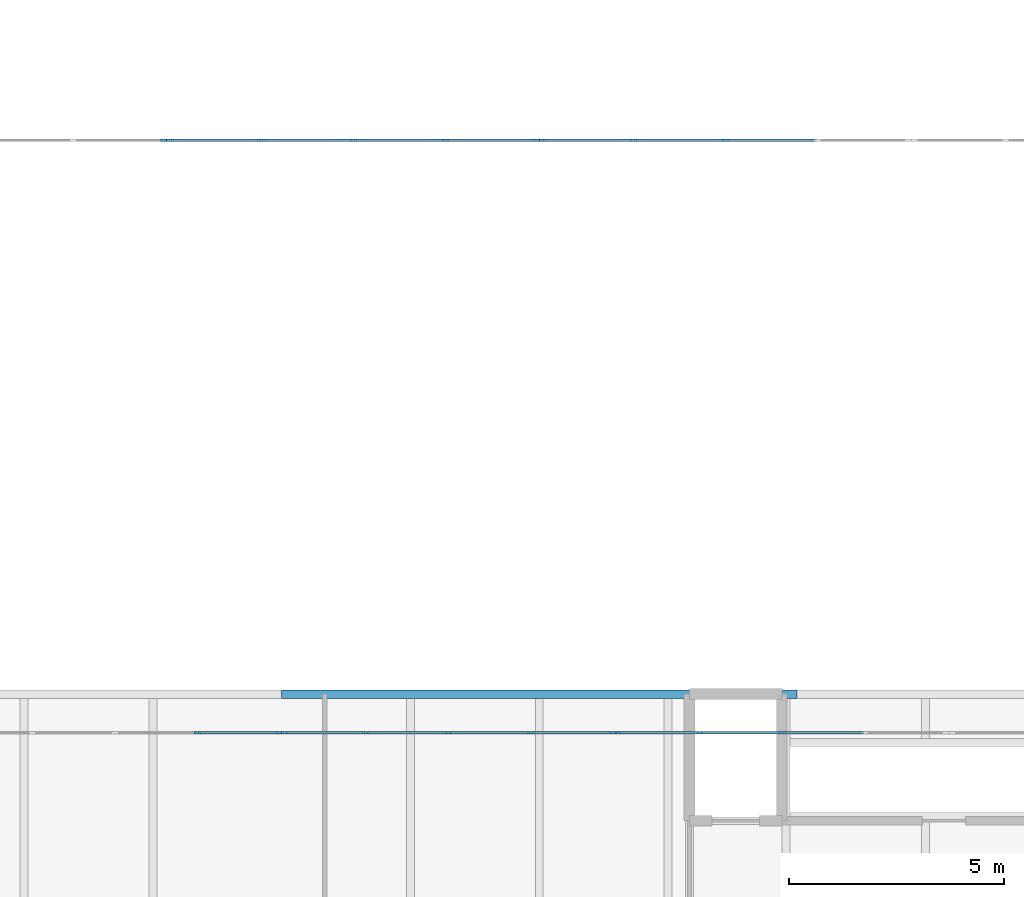
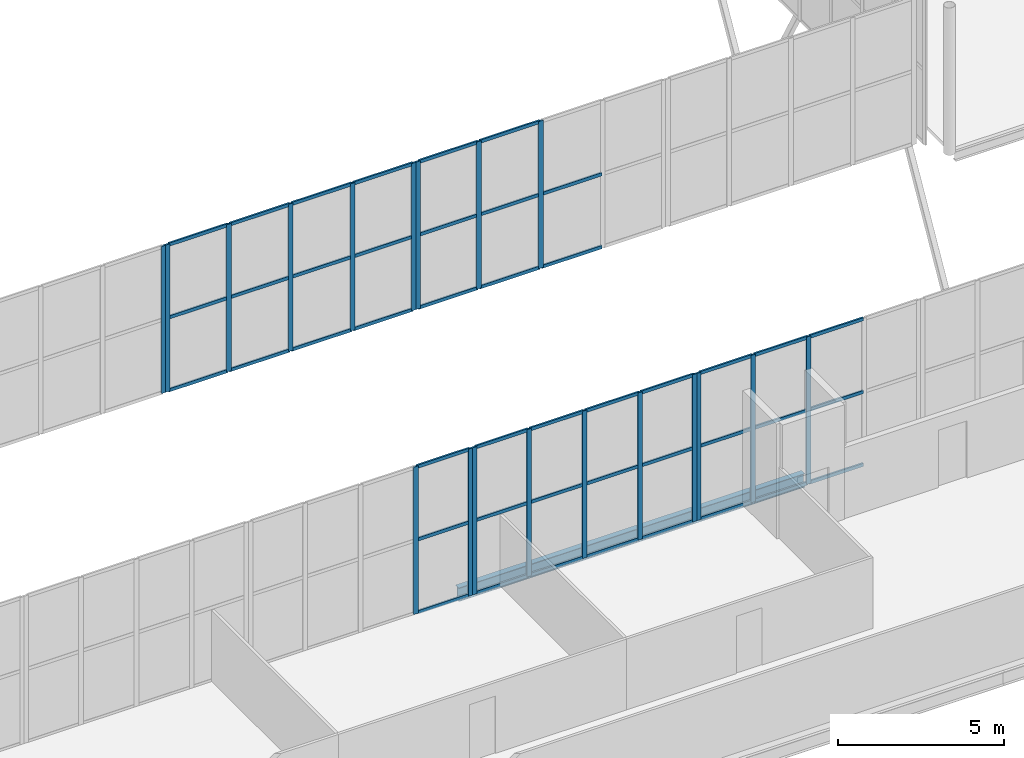
# One storey, part 59 of 170: 63 members, 1 beam, 6 elements without a shape of their own.
"""IFC4 building model written with IfcOpenShell, lengths in metres."""

from ifc_helpers import new_model, si_unit, direction, frame, origin, origin_2d, place, context, subcontext, project, spatial, rectangle, i_section, extrude, material, layer, layer_set, material_profile, profile_set, type_object, element, aggregate, save


model = new_model("IFC4")

# Units and contexts
model_context = context("Model", 3, precision=1e-05, world=origin(), true_north=direction((0.0, 1.0)))
body_context = subcontext(model_context, "Body", "Model", "MODEL_VIEW")
ifc_project = project(units=[si_unit("LENGTHUNIT", "METRE"), si_unit("AREAUNIT", "SQUARE_METRE"), si_unit("VOLUMEUNIT", "CUBIC_METRE"), si_unit("PLANEANGLEUNIT", "RADIAN"), si_unit("MASSUNIT", "GRAM", prefix="KILO")], contexts=[model_context])

# Site, building, storey
site_placement = place(None, origin())
site = spatial("IfcSite", under=ifc_project, at=site_placement, CompositionType="ELEMENT")
building_placement = place(site_placement, origin())
building = spatial("IfcBuilding", under=site, at=building_placement, Name="Ravi Spectrum Wholesale Market", CompositionType="ELEMENT")
storey_placement = place(building_placement, frame((0.0, 0.0, 5.39990234375)))
storey = spatial("IfcBuildingStorey", under=building, at=storey_placement, Name="L01", CompositionType="ELEMENT", Elevation=5.39990234375)

# Beam
ifc_material_1 = material(Name="Steel S355", Category="steel")
ifc_material_profile_1 = material_profile(ifc_material_1, i_section(OverallWidth=0.199951171875, OverallDepth=0.5, WebThickness=0.01025390625, FlangeThickness=0.01611328125, at=origin_2d()))
ifc_profile_set_1 = profile_set([ifc_material_profile_1], Name="Steel S355")
beam_type = type_object("IfcBeamType", Name="IPE 500 girder", PredefinedType="BEAM", material=ifc_profile_set_1)
beam_placement = place(storey_placement, frame((174.0, 126.0, -0.5), z_axis=(1.0, 0.0, 0.0), x_axis=(0.0, 1.0, 0.0)))
element("IfcBeam", 1, at=beam_placement, inside=storey, type_object=beam_type, Name="H2-BM-L01-007", PredefinedType="BEAM", context=body_context, shape_type="SweptSolid", body=[
    extrude(i_section(OverallWidth=0.199951171875, OverallDepth=0.5, WebThickness=0.01025390625, FlangeThickness=0.01611328125, at=origin_2d()), origin(), (0.0, 0.0, 1.0), 12.0),
])

# Curtain wall, members
ifc_material_2 = material(Name="Aluminium 6063-T6", Category="aluminium")
ifc_layer = layer(ifc_material_2, 0.14990234375)
ifc_layer_set = layer_set([ifc_layer], Name="Aluminium 6063-T6")
curtain_wall_type = type_object("IfcCurtainWallType", Name="Curtain wall 150", PredefinedType="NOTDEFINED", material=ifc_layer_set)
curtain_wall_1_placement = place(storey_placement, origin())
curtain_wall_1 = element("IfcCurtainWall", 2, at=curtain_wall_1_placement, inside=storey, type_object=curtain_wall_type, Name="H2-CW-L01-017", PredefinedType="NOTDEFINED")
ifc_material_3 = material(Name="Aluminium 6063-T6", Category="aluminium")
ifc_material_profile_2 = material_profile(ifc_material_3, rectangle(XDim=0.06005859375, YDim=0.159912109375, at=origin_2d()))
ifc_profile_set_2 = profile_set([ifc_material_profile_2], Name="Aluminium 6063-T6")
member_type_1 = type_object("IfcMemberType", Name="Mullion 60 x 160", PredefinedType="MULLION", material=ifc_profile_set_2)
member_1_placement = place(storey_placement, frame((172.036865234375, 125.10009765625, 0.0), z_axis=(0.0, 0.0, 1.0), x_axis=(0.0, 1.0, 0.0)))
member_1 = element("IfcMember", 3, at=member_1_placement, type_object=member_type_1, Name="H2-CW-L01-017 mullion 4", PredefinedType="MULLION", context=body_context, shape_type="SweptSolid", body=[
    extrude(rectangle(XDim=0.06005859375, YDim=0.159912109375, at=origin_2d()), origin(), (0.0, 0.0, 1.0), 5.400146484375),
])
member_2_placement = place(storey_placement, frame((173.929931640625, 125.10009765625, 0.0), z_axis=(0.0, 0.0, 1.0), x_axis=(0.0, 1.0, 0.0)))
member_2 = element("IfcMember", 4, at=member_2_placement, type_object=member_type_1, Name="H2-CW-L01-017 mullion 5", PredefinedType="MULLION", context=body_context, shape_type="SweptSolid", body=[
    extrude(rectangle(XDim=0.06005859375, YDim=0.159912109375, at=origin_2d()), origin(), (0.0, 0.0, 1.0), 5.400146484375),
])

curtain_wall_2_placement = place(storey_placement, origin())
curtain_wall_2 = element("IfcCurtainWall", 5, at=curtain_wall_2_placement, inside=storey, type_object=curtain_wall_type, Name="H2-CW-L01-018", PredefinedType="NOTDEFINED")
member_3_placement = place(storey_placement, frame((174.070068359375, 125.10009765625, 0.0), z_axis=(0.0, 0.0, 1.0), x_axis=(0.0, 1.0, 0.0)))
member_3 = element("IfcMember", 6, at=member_3_placement, type_object=member_type_1, Name="H2-CW-L01-018 mullion 1", PredefinedType="MULLION", context=body_context, shape_type="SweptSolid", body=[
    extrude(rectangle(XDim=0.06005859375, YDim=0.159912109375, at=origin_2d()), origin(), (0.0, 0.0, 1.0), 5.400146484375),
])
member_4_placement = place(storey_placement, frame((175.963134765625, 125.10009765625, 0.0), z_axis=(0.0, 0.0, 1.0), x_axis=(0.0, 1.0, 0.0)))
member_4 = element("IfcMember", 7, at=member_4_placement, type_object=member_type_1, Name="H2-CW-L01-018 mullion 2", PredefinedType="MULLION", context=body_context, shape_type="SweptSolid", body=[
    extrude(rectangle(XDim=0.06005859375, YDim=0.159912109375, at=origin_2d()), origin(), (0.0, 0.0, 1.0), 5.400146484375),
])
member_5_placement = place(storey_placement, frame((177.88623046875, 125.10009765625, 0.0), z_axis=(0.0, 0.0, 1.0), x_axis=(0.0, 1.0, 0.0)))
member_5 = element("IfcMember", 8, at=member_5_placement, type_object=member_type_1, Name="H2-CW-L01-018 mullion 3", PredefinedType="MULLION", context=body_context, shape_type="SweptSolid", body=[
    extrude(rectangle(XDim=0.06005859375, YDim=0.159912109375, at=origin_2d()), origin(), (0.0, 0.0, 1.0), 5.400146484375),
])
member_6_placement = place(storey_placement, frame((179.80908203125, 125.10009765625, 0.0), z_axis=(0.0, 0.0, 1.0), x_axis=(0.0, 1.0, 0.0)))
member_6 = element("IfcMember", 9, at=member_6_placement, type_object=member_type_1, Name="H2-CW-L01-018 mullion 4", PredefinedType="MULLION", context=body_context, shape_type="SweptSolid", body=[
    extrude(rectangle(XDim=0.06005859375, YDim=0.159912109375, at=origin_2d()), origin(), (0.0, 0.0, 1.0), 5.400146484375),
])
member_7_placement = place(storey_placement, frame((181.7021484375, 125.10009765625, 0.0), z_axis=(0.0, 0.0, 1.0), x_axis=(0.0, 1.0, 0.0)))
member_7 = element("IfcMember", 10, at=member_7_placement, type_object=member_type_1, Name="H2-CW-L01-018 mullion 5", PredefinedType="MULLION", context=body_context, shape_type="SweptSolid", body=[
    extrude(rectangle(XDim=0.06005859375, YDim=0.159912109375, at=origin_2d()), origin(), (0.0, 0.0, 1.0), 5.400146484375),
])

curtain_wall_3_placement = place(storey_placement, origin())
curtain_wall_3 = element("IfcCurtainWall", 11, at=curtain_wall_3_placement, inside=storey, type_object=curtain_wall_type, Name="H2-CW-L01-019", PredefinedType="NOTDEFINED")
member_8_placement = place(storey_placement, frame((181.84228515625, 125.10009765625, 0.0), z_axis=(0.0, 0.0, 1.0), x_axis=(0.0, 1.0, 0.0)))
member_8 = element("IfcMember", 12, at=member_8_placement, type_object=member_type_1, Name="H2-CW-L01-019 mullion 1", PredefinedType="MULLION", context=body_context, shape_type="SweptSolid", body=[
    extrude(rectangle(XDim=0.06005859375, YDim=0.159912109375, at=origin_2d()), origin(), (0.0, 0.0, 1.0), 5.400146484375),
])
member_9_placement = place(storey_placement, frame((183.7353515625, 125.10009765625, 0.0), z_axis=(0.0, 0.0, 1.0), x_axis=(0.0, 1.0, 0.0)))
member_9 = element("IfcMember", 13, at=member_9_placement, type_object=member_type_1, Name="H2-CW-L01-019 mullion 2", PredefinedType="MULLION", context=body_context, shape_type="SweptSolid", body=[
    extrude(rectangle(XDim=0.06005859375, YDim=0.159912109375, at=origin_2d()), origin(), (0.0, 0.0, 1.0), 5.400146484375),
])
member_10_placement = place(storey_placement, frame((185.658447265625, 125.10009765625, 0.0), z_axis=(0.0, 0.0, 1.0), x_axis=(0.0, 1.0, 0.0)))
member_10 = element("IfcMember", 14, at=member_10_placement, type_object=member_type_1, Name="H2-CW-L01-019 mullion 3", PredefinedType="MULLION", context=body_context, shape_type="SweptSolid", body=[
    extrude(rectangle(XDim=0.06005859375, YDim=0.159912109375, at=origin_2d()), origin(), (0.0, 0.0, 1.0), 5.400146484375),
])

# Curtain wall, member
curtain_wall_4_placement = place(storey_placement, origin())
curtain_wall_4 = element("IfcCurtainWall", 15, at=curtain_wall_4_placement, inside=storey, type_object=curtain_wall_type, Name="H3-CW-L01-009", PredefinedType="NOTDEFINED")
member_11_placement = place(storey_placement, frame((171.2587890625, 138.89990234375, 0.0), z_axis=(0.0, 0.0, 1.0), x_axis=(0.0, 1.0, 0.0)))
member_11 = element("IfcMember", 16, at=member_11_placement, type_object=member_type_1, Name="H3-CW-L01-009 mullion 5", PredefinedType="MULLION", context=body_context, shape_type="SweptSolid", body=[
    extrude(rectangle(XDim=0.06005859375, YDim=0.159912109375, at=origin_2d()), origin(), (0.0, 0.0, 1.0), 5.400146484375),
])
aggregate(curtain_wall_4, [member_11])

# Curtain wall, members
curtain_wall_5_placement = place(storey_placement, origin())
curtain_wall_5 = element("IfcCurtainWall", 17, at=curtain_wall_5_placement, inside=storey, type_object=curtain_wall_type, Name="H3-CW-L01-010", PredefinedType="NOTDEFINED")
member_12_placement = place(storey_placement, frame((171.39892578125, 138.89990234375, 0.0), z_axis=(0.0, 0.0, 1.0), x_axis=(0.0, 1.0, 0.0)))
member_12 = element("IfcMember", 18, at=member_12_placement, type_object=member_type_1, Name="H3-CW-L01-010 mullion 1", PredefinedType="MULLION", context=body_context, shape_type="SweptSolid", body=[
    extrude(rectangle(XDim=0.06005859375, YDim=0.159912109375, at=origin_2d()), origin(), (0.0, 0.0, 1.0), 5.400146484375),
])
member_13_placement = place(storey_placement, frame((173.5166015625, 138.89990234375, 0.0), z_axis=(0.0, 0.0, 1.0), x_axis=(0.0, 1.0, 0.0)))
member_13 = element("IfcMember", 19, at=member_13_placement, type_object=member_type_1, Name="H3-CW-L01-010 mullion 2", PredefinedType="MULLION", context=body_context, shape_type="SweptSolid", body=[
    extrude(rectangle(XDim=0.06005859375, YDim=0.159912109375, at=origin_2d()), origin(), (0.0, 0.0, 1.0), 5.400146484375),
])
member_14_placement = place(storey_placement, frame((175.66455078125, 138.89990234375, 0.0), z_axis=(0.0, 0.0, 1.0), x_axis=(0.0, 1.0, 0.0)))
member_14 = element("IfcMember", 20, at=member_14_placement, type_object=member_type_1, Name="H3-CW-L01-010 mullion 3", PredefinedType="MULLION", context=body_context, shape_type="SweptSolid", body=[
    extrude(rectangle(XDim=0.06005859375, YDim=0.159912109375, at=origin_2d()), origin(), (0.0, 0.0, 1.0), 5.400146484375),
])
member_15_placement = place(storey_placement, frame((177.812255859375, 138.89990234375, 0.0), z_axis=(0.0, 0.0, 1.0), x_axis=(0.0, 1.0, 0.0)))
member_15 = element("IfcMember", 21, at=member_15_placement, type_object=member_type_1, Name="H3-CW-L01-010 mullion 4", PredefinedType="MULLION", context=body_context, shape_type="SweptSolid", body=[
    extrude(rectangle(XDim=0.06005859375, YDim=0.159912109375, at=origin_2d()), origin(), (0.0, 0.0, 1.0), 5.400146484375),
])
member_16_placement = place(storey_placement, frame((179.929931640625, 138.89990234375, 0.0), z_axis=(0.0, 0.0, 1.0), x_axis=(0.0, 1.0, 0.0)))
member_16 = element("IfcMember", 22, at=member_16_placement, type_object=member_type_1, Name="H3-CW-L01-010 mullion 5", PredefinedType="MULLION", context=body_context, shape_type="SweptSolid", body=[
    extrude(rectangle(XDim=0.06005859375, YDim=0.159912109375, at=origin_2d()), origin(), (0.0, 0.0, 1.0), 5.400146484375),
])

curtain_wall_6_placement = place(storey_placement, origin())
curtain_wall_6 = element("IfcCurtainWall", 23, at=curtain_wall_6_placement, inside=storey, type_object=curtain_wall_type, Name="H3-CW-L01-011", PredefinedType="NOTDEFINED")
member_17_placement = place(storey_placement, frame((180.070068359375, 138.89990234375, 0.0), z_axis=(0.0, 0.0, 1.0), x_axis=(0.0, 1.0, 0.0)))
member_17 = element("IfcMember", 24, at=member_17_placement, type_object=member_type_1, Name="H3-CW-L01-011 mullion 1", PredefinedType="MULLION", context=body_context, shape_type="SweptSolid", body=[
    extrude(rectangle(XDim=0.06005859375, YDim=0.159912109375, at=origin_2d()), origin(), (0.0, 0.0, 1.0), 5.400146484375),
])
member_18_placement = place(storey_placement, frame((182.187744140625, 138.89990234375, 0.0), z_axis=(0.0, 0.0, 1.0), x_axis=(0.0, 1.0, 0.0)))
member_18 = element("IfcMember", 25, at=member_18_placement, type_object=member_type_1, Name="H3-CW-L01-011 mullion 2", PredefinedType="MULLION", context=body_context, shape_type="SweptSolid", body=[
    extrude(rectangle(XDim=0.06005859375, YDim=0.159912109375, at=origin_2d()), origin(), (0.0, 0.0, 1.0), 5.400146484375),
])
member_19_placement = place(storey_placement, frame((184.33544921875, 138.89990234375, 0.0), z_axis=(0.0, 0.0, 1.0), x_axis=(0.0, 1.0, 0.0)))
member_19 = element("IfcMember", 26, at=member_19_placement, type_object=member_type_1, Name="H3-CW-L01-011 mullion 3", PredefinedType="MULLION", context=body_context, shape_type="SweptSolid", body=[
    extrude(rectangle(XDim=0.06005859375, YDim=0.159912109375, at=origin_2d()), origin(), (0.0, 0.0, 1.0), 5.400146484375),
])

# Member
ifc_material_4 = material(Name="Aluminium 6063-T6", Category="aluminium")
ifc_material_profile_3 = material_profile(ifc_material_4, rectangle(XDim=0.06005859375, YDim=0.1201171875, at=origin_2d()))
ifc_profile_set_3 = profile_set([ifc_material_profile_3], Name="Aluminium 6063-T6")
member_type_2 = type_object("IfcMemberType", Name="Transom 60 x 120", PredefinedType="USERDEFINED", material=ifc_profile_set_3)
member_20_placement = place(storey_placement, frame((172.06689453125, 125.10009765625, 0.030029296875), z_axis=(1.0, 0.0, 0.0), x_axis=(0.0, 1.0, 0.0)))
member_20 = element("IfcMember", 27, at=member_20_placement, type_object=member_type_2, Name="H2-CW-L01-017 transom 4.1", ObjectType="TRANSOM", PredefinedType="USERDEFINED", context=body_context, shape_type="SweptSolid", body=[
    extrude(rectangle(XDim=0.06005859375, YDim=0.1201171875, at=origin_2d()), origin(), (0.0, 0.0, 1.0), 1.8330078125),
])

member_21_placement = place(storey_placement, frame((172.06689453125, 125.10009765625, 2.7001953125), z_axis=(1.0, 0.0, 0.0), x_axis=(0.0, 1.0, 0.0)))
member_21 = element("IfcMember", 28, at=member_21_placement, type_object=member_type_2, Name="H2-CW-L01-017 transom 4.2", ObjectType="TRANSOM", PredefinedType="USERDEFINED", context=body_context, shape_type="SweptSolid", body=[
    extrude(rectangle(XDim=0.06005859375, YDim=0.1201171875, at=origin_2d()), origin(), (0.0, 0.0, 1.0), 1.8330078125),
])

member_22_placement = place(storey_placement, frame((172.06689453125, 125.10009765625, 5.3701171875), z_axis=(1.0, 0.0, 0.0), x_axis=(0.0, 1.0, 0.0)))
member_22 = element("IfcMember", 29, at=member_22_placement, type_object=member_type_2, Name="H2-CW-L01-017 transom 4.3", ObjectType="TRANSOM", PredefinedType="USERDEFINED", context=body_context, shape_type="SweptSolid", body=[
    extrude(rectangle(XDim=0.06005859375, YDim=0.1201171875, at=origin_2d()), origin(), (0.0, 0.0, 1.0), 1.8330078125),
])

aggregate(curtain_wall_1, [member_1, member_2, member_20, member_21, member_22])

member_23_placement = place(storey_placement, frame((174.10009765625, 125.10009765625, 0.030029296875), z_axis=(1.0, 0.0, 0.0), x_axis=(0.0, 1.0, 0.0)))
member_23 = element("IfcMember", 30, at=member_23_placement, type_object=member_type_2, Name="H2-CW-L01-018 transom 1.1", ObjectType="TRANSOM", PredefinedType="USERDEFINED", context=body_context, shape_type="SweptSolid", body=[
    extrude(rectangle(XDim=0.06005859375, YDim=0.1201171875, at=origin_2d()), origin(), (0.0, 0.0, 1.0), 1.8330078125),
])

member_24_placement = place(storey_placement, frame((174.10009765625, 125.10009765625, 2.7001953125), z_axis=(1.0, 0.0, 0.0), x_axis=(0.0, 1.0, 0.0)))
member_24 = element("IfcMember", 31, at=member_24_placement, type_object=member_type_2, Name="H2-CW-L01-018 transom 1.2", ObjectType="TRANSOM", PredefinedType="USERDEFINED", context=body_context, shape_type="SweptSolid", body=[
    extrude(rectangle(XDim=0.06005859375, YDim=0.1201171875, at=origin_2d()), origin(), (0.0, 0.0, 1.0), 1.8330078125),
])

member_25_placement = place(storey_placement, frame((174.10009765625, 125.10009765625, 5.3701171875), z_axis=(1.0, 0.0, 0.0), x_axis=(0.0, 1.0, 0.0)))
member_25 = element("IfcMember", 32, at=member_25_placement, type_object=member_type_2, Name="H2-CW-L01-018 transom 1.3", ObjectType="TRANSOM", PredefinedType="USERDEFINED", context=body_context, shape_type="SweptSolid", body=[
    extrude(rectangle(XDim=0.06005859375, YDim=0.1201171875, at=origin_2d()), origin(), (0.0, 0.0, 1.0), 1.8330078125),
])

member_26_placement = place(storey_placement, frame((175.9931640625, 125.10009765625, 0.030029296875), z_axis=(1.0, 0.0, 0.0), x_axis=(0.0, 1.0, 0.0)))
member_26 = element("IfcMember", 33, at=member_26_placement, type_object=member_type_2, Name="H2-CW-L01-018 transom 2.1", ObjectType="TRANSOM", PredefinedType="USERDEFINED", context=body_context, shape_type="SweptSolid", body=[
    extrude(rectangle(XDim=0.06005859375, YDim=0.1201171875, at=origin_2d()), origin(), (0.0, 0.0, 1.0), 1.863037109375),
])

member_27_placement = place(storey_placement, frame((175.9931640625, 125.10009765625, 2.7001953125), z_axis=(1.0, 0.0, 0.0), x_axis=(0.0, 1.0, 0.0)))
member_27 = element("IfcMember", 34, at=member_27_placement, type_object=member_type_2, Name="H2-CW-L01-018 transom 2.2", ObjectType="TRANSOM", PredefinedType="USERDEFINED", context=body_context, shape_type="SweptSolid", body=[
    extrude(rectangle(XDim=0.06005859375, YDim=0.1201171875, at=origin_2d()), origin(), (0.0, 0.0, 1.0), 1.863037109375),
])

member_28_placement = place(storey_placement, frame((175.9931640625, 125.10009765625, 5.3701171875), z_axis=(1.0, 0.0, 0.0), x_axis=(0.0, 1.0, 0.0)))
member_28 = element("IfcMember", 35, at=member_28_placement, type_object=member_type_2, Name="H2-CW-L01-018 transom 2.3", ObjectType="TRANSOM", PredefinedType="USERDEFINED", context=body_context, shape_type="SweptSolid", body=[
    extrude(rectangle(XDim=0.06005859375, YDim=0.1201171875, at=origin_2d()), origin(), (0.0, 0.0, 1.0), 1.863037109375),
])

member_29_placement = place(storey_placement, frame((177.916015625, 125.10009765625, 0.030029296875), z_axis=(1.0, 0.0, 0.0), x_axis=(0.0, 1.0, 0.0)))
member_29 = element("IfcMember", 36, at=member_29_placement, type_object=member_type_2, Name="H2-CW-L01-018 transom 3.1", ObjectType="TRANSOM", PredefinedType="USERDEFINED", context=body_context, shape_type="SweptSolid", body=[
    extrude(rectangle(XDim=0.06005859375, YDim=0.1201171875, at=origin_2d()), origin(), (0.0, 0.0, 1.0), 1.86328125),
])

member_30_placement = place(storey_placement, frame((177.916015625, 125.10009765625, 2.7001953125), z_axis=(1.0, 0.0, 0.0), x_axis=(0.0, 1.0, 0.0)))
member_30 = element("IfcMember", 37, at=member_30_placement, type_object=member_type_2, Name="H2-CW-L01-018 transom 3.2", ObjectType="TRANSOM", PredefinedType="USERDEFINED", context=body_context, shape_type="SweptSolid", body=[
    extrude(rectangle(XDim=0.06005859375, YDim=0.1201171875, at=origin_2d()), origin(), (0.0, 0.0, 1.0), 1.86328125),
])

member_31_placement = place(storey_placement, frame((177.916015625, 125.10009765625, 5.3701171875), z_axis=(1.0, 0.0, 0.0), x_axis=(0.0, 1.0, 0.0)))
member_31 = element("IfcMember", 38, at=member_31_placement, type_object=member_type_2, Name="H2-CW-L01-018 transom 3.3", ObjectType="TRANSOM", PredefinedType="USERDEFINED", context=body_context, shape_type="SweptSolid", body=[
    extrude(rectangle(XDim=0.06005859375, YDim=0.1201171875, at=origin_2d()), origin(), (0.0, 0.0, 1.0), 1.86328125),
])

member_32_placement = place(storey_placement, frame((179.839111328125, 125.10009765625, 0.030029296875), z_axis=(1.0, 0.0, 0.0), x_axis=(0.0, 1.0, 0.0)))
member_32 = element("IfcMember", 39, at=member_32_placement, type_object=member_type_2, Name="H2-CW-L01-018 transom 4.1", ObjectType="TRANSOM", PredefinedType="USERDEFINED", context=body_context, shape_type="SweptSolid", body=[
    extrude(rectangle(XDim=0.06005859375, YDim=0.1201171875, at=origin_2d()), origin(), (0.0, 0.0, 1.0), 1.833251953125),
])

member_33_placement = place(storey_placement, frame((179.839111328125, 125.10009765625, 2.7001953125), z_axis=(1.0, 0.0, 0.0), x_axis=(0.0, 1.0, 0.0)))
member_33 = element("IfcMember", 40, at=member_33_placement, type_object=member_type_2, Name="H2-CW-L01-018 transom 4.2", ObjectType="TRANSOM", PredefinedType="USERDEFINED", context=body_context, shape_type="SweptSolid", body=[
    extrude(rectangle(XDim=0.06005859375, YDim=0.1201171875, at=origin_2d()), origin(), (0.0, 0.0, 1.0), 1.833251953125),
])

member_34_placement = place(storey_placement, frame((179.839111328125, 125.10009765625, 5.3701171875), z_axis=(1.0, 0.0, 0.0), x_axis=(0.0, 1.0, 0.0)))
member_34 = element("IfcMember", 41, at=member_34_placement, type_object=member_type_2, Name="H2-CW-L01-018 transom 4.3", ObjectType="TRANSOM", PredefinedType="USERDEFINED", context=body_context, shape_type="SweptSolid", body=[
    extrude(rectangle(XDim=0.06005859375, YDim=0.1201171875, at=origin_2d()), origin(), (0.0, 0.0, 1.0), 1.833251953125),
])

aggregate(curtain_wall_2, [member_3, member_4, member_5, member_6, member_7, member_23, member_24, member_25, member_26, member_27, member_28, member_29, member_30, member_31, member_32, member_33, member_34])

member_35_placement = place(storey_placement, frame((181.872314453125, 125.10009765625, 0.030029296875), z_axis=(1.0, 0.0, 0.0), x_axis=(0.0, 1.0, 0.0)))
member_35 = element("IfcMember", 42, at=member_35_placement, type_object=member_type_2, Name="H2-CW-L01-019 transom 1.1", ObjectType="TRANSOM", PredefinedType="USERDEFINED", context=body_context, shape_type="SweptSolid", body=[
    extrude(rectangle(XDim=0.06005859375, YDim=0.1201171875, at=origin_2d()), origin(), (0.0, 0.0, 1.0), 1.8330078125),
])

member_36_placement = place(storey_placement, frame((181.872314453125, 125.10009765625, 2.7001953125), z_axis=(1.0, 0.0, 0.0), x_axis=(0.0, 1.0, 0.0)))
member_36 = element("IfcMember", 43, at=member_36_placement, type_object=member_type_2, Name="H2-CW-L01-019 transom 1.2", ObjectType="TRANSOM", PredefinedType="USERDEFINED", context=body_context, shape_type="SweptSolid", body=[
    extrude(rectangle(XDim=0.06005859375, YDim=0.1201171875, at=origin_2d()), origin(), (0.0, 0.0, 1.0), 1.8330078125),
])

member_37_placement = place(storey_placement, frame((181.872314453125, 125.10009765625, 5.3701171875), z_axis=(1.0, 0.0, 0.0), x_axis=(0.0, 1.0, 0.0)))
member_37 = element("IfcMember", 44, at=member_37_placement, type_object=member_type_2, Name="H2-CW-L01-019 transom 1.3", ObjectType="TRANSOM", PredefinedType="USERDEFINED", context=body_context, shape_type="SweptSolid", body=[
    extrude(rectangle(XDim=0.06005859375, YDim=0.1201171875, at=origin_2d()), origin(), (0.0, 0.0, 1.0), 1.8330078125),
])

member_38_placement = place(storey_placement, frame((183.765380859375, 125.10009765625, 0.030029296875), z_axis=(1.0, 0.0, 0.0), x_axis=(0.0, 1.0, 0.0)))
member_38 = element("IfcMember", 45, at=member_38_placement, type_object=member_type_2, Name="H2-CW-L01-019 transom 2.1", ObjectType="TRANSOM", PredefinedType="USERDEFINED", context=body_context, shape_type="SweptSolid", body=[
    extrude(rectangle(XDim=0.06005859375, YDim=0.1201171875, at=origin_2d()), origin(), (0.0, 0.0, 1.0), 1.863037109375),
])

member_39_placement = place(storey_placement, frame((183.765380859375, 125.10009765625, 2.7001953125), z_axis=(1.0, 0.0, 0.0), x_axis=(0.0, 1.0, 0.0)))
member_39 = element("IfcMember", 46, at=member_39_placement, type_object=member_type_2, Name="H2-CW-L01-019 transom 2.2", ObjectType="TRANSOM", PredefinedType="USERDEFINED", context=body_context, shape_type="SweptSolid", body=[
    extrude(rectangle(XDim=0.06005859375, YDim=0.1201171875, at=origin_2d()), origin(), (0.0, 0.0, 1.0), 1.863037109375),
])

member_40_placement = place(storey_placement, frame((183.765380859375, 125.10009765625, 5.3701171875), z_axis=(1.0, 0.0, 0.0), x_axis=(0.0, 1.0, 0.0)))
member_40 = element("IfcMember", 47, at=member_40_placement, type_object=member_type_2, Name="H2-CW-L01-019 transom 2.3", ObjectType="TRANSOM", PredefinedType="USERDEFINED", context=body_context, shape_type="SweptSolid", body=[
    extrude(rectangle(XDim=0.06005859375, YDim=0.1201171875, at=origin_2d()), origin(), (0.0, 0.0, 1.0), 1.863037109375),
])

member_41_placement = place(storey_placement, frame((185.6884765625, 125.10009765625, 0.030029296875), z_axis=(1.0, 0.0, 0.0), x_axis=(0.0, 1.0, 0.0)))
member_41 = element("IfcMember", 48, at=member_41_placement, type_object=member_type_2, Name="H2-CW-L01-019 transom 3.1", ObjectType="TRANSOM", PredefinedType="USERDEFINED", context=body_context, shape_type="SweptSolid", body=[
    extrude(rectangle(XDim=0.06005859375, YDim=0.1201171875, at=origin_2d()), origin(), (0.0, 0.0, 1.0), 1.863037109375),
])

member_42_placement = place(storey_placement, frame((185.6884765625, 125.10009765625, 2.7001953125), z_axis=(1.0, 0.0, 0.0), x_axis=(0.0, 1.0, 0.0)))
member_42 = element("IfcMember", 49, at=member_42_placement, type_object=member_type_2, Name="H2-CW-L01-019 transom 3.2", ObjectType="TRANSOM", PredefinedType="USERDEFINED", context=body_context, shape_type="SweptSolid", body=[
    extrude(rectangle(XDim=0.06005859375, YDim=0.1201171875, at=origin_2d()), origin(), (0.0, 0.0, 1.0), 1.863037109375),
])

member_43_placement = place(storey_placement, frame((185.6884765625, 125.10009765625, 5.3701171875), z_axis=(1.0, 0.0, 0.0), x_axis=(0.0, 1.0, 0.0)))
member_43 = element("IfcMember", 50, at=member_43_placement, type_object=member_type_2, Name="H2-CW-L01-019 transom 3.3", ObjectType="TRANSOM", PredefinedType="USERDEFINED", context=body_context, shape_type="SweptSolid", body=[
    extrude(rectangle(XDim=0.06005859375, YDim=0.1201171875, at=origin_2d()), origin(), (0.0, 0.0, 1.0), 1.863037109375),
])

aggregate(curtain_wall_3, [member_8, member_9, member_10, member_35, member_36, member_37, member_38, member_39, member_40, member_41, member_42, member_43])

member_44_placement = place(storey_placement, frame((171.428955078125, 138.89990234375, 0.030029296875), z_axis=(1.0, 0.0, 0.0), x_axis=(0.0, 1.0, 0.0)))
member_44 = element("IfcMember", 51, at=member_44_placement, type_object=member_type_2, Name="H3-CW-L01-010 transom 1.1", ObjectType="TRANSOM", PredefinedType="USERDEFINED", context=body_context, shape_type="SweptSolid", body=[
    extrude(rectangle(XDim=0.06005859375, YDim=0.1201171875, at=origin_2d()), origin(), (0.0, 0.0, 1.0), 2.0576171875),
])

member_45_placement = place(storey_placement, frame((171.428955078125, 138.89990234375, 2.7001953125), z_axis=(1.0, 0.0, 0.0), x_axis=(0.0, 1.0, 0.0)))
member_45 = element("IfcMember", 52, at=member_45_placement, type_object=member_type_2, Name="H3-CW-L01-010 transom 1.2", ObjectType="TRANSOM", PredefinedType="USERDEFINED", context=body_context, shape_type="SweptSolid", body=[
    extrude(rectangle(XDim=0.06005859375, YDim=0.1201171875, at=origin_2d()), origin(), (0.0, 0.0, 1.0), 2.0576171875),
])

member_46_placement = place(storey_placement, frame((171.428955078125, 138.89990234375, 5.3701171875), z_axis=(1.0, 0.0, 0.0), x_axis=(0.0, 1.0, 0.0)))
member_46 = element("IfcMember", 53, at=member_46_placement, type_object=member_type_2, Name="H3-CW-L01-010 transom 1.3", ObjectType="TRANSOM", PredefinedType="USERDEFINED", context=body_context, shape_type="SweptSolid", body=[
    extrude(rectangle(XDim=0.06005859375, YDim=0.1201171875, at=origin_2d()), origin(), (0.0, 0.0, 1.0), 2.0576171875),
])

member_47_placement = place(storey_placement, frame((173.546630859375, 138.89990234375, 0.030029296875), z_axis=(1.0, 0.0, 0.0), x_axis=(0.0, 1.0, 0.0)))
member_47 = element("IfcMember", 54, at=member_47_placement, type_object=member_type_2, Name="H3-CW-L01-010 transom 2.1", ObjectType="TRANSOM", PredefinedType="USERDEFINED", context=body_context, shape_type="SweptSolid", body=[
    extrude(rectangle(XDim=0.06005859375, YDim=0.1201171875, at=origin_2d()), origin(), (0.0, 0.0, 1.0), 2.087890625),
])

member_48_placement = place(storey_placement, frame((173.546630859375, 138.89990234375, 2.7001953125), z_axis=(1.0, 0.0, 0.0), x_axis=(0.0, 1.0, 0.0)))
member_48 = element("IfcMember", 55, at=member_48_placement, type_object=member_type_2, Name="H3-CW-L01-010 transom 2.2", ObjectType="TRANSOM", PredefinedType="USERDEFINED", context=body_context, shape_type="SweptSolid", body=[
    extrude(rectangle(XDim=0.06005859375, YDim=0.1201171875, at=origin_2d()), origin(), (0.0, 0.0, 1.0), 2.087890625),
])

member_49_placement = place(storey_placement, frame((173.546630859375, 138.89990234375, 5.3701171875), z_axis=(1.0, 0.0, 0.0), x_axis=(0.0, 1.0, 0.0)))
member_49 = element("IfcMember", 56, at=member_49_placement, type_object=member_type_2, Name="H3-CW-L01-010 transom 2.3", ObjectType="TRANSOM", PredefinedType="USERDEFINED", context=body_context, shape_type="SweptSolid", body=[
    extrude(rectangle(XDim=0.06005859375, YDim=0.1201171875, at=origin_2d()), origin(), (0.0, 0.0, 1.0), 2.087890625),
])

member_50_placement = place(storey_placement, frame((175.6943359375, 138.89990234375, 0.030029296875), z_axis=(1.0, 0.0, 0.0), x_axis=(0.0, 1.0, 0.0)))
member_50 = element("IfcMember", 57, at=member_50_placement, type_object=member_type_2, Name="H3-CW-L01-010 transom 3.1", ObjectType="TRANSOM", PredefinedType="USERDEFINED", context=body_context, shape_type="SweptSolid", body=[
    extrude(rectangle(XDim=0.06005859375, YDim=0.1201171875, at=origin_2d()), origin(), (0.0, 0.0, 1.0), 2.087890625),
])

member_51_placement = place(storey_placement, frame((175.6943359375, 138.89990234375, 2.7001953125), z_axis=(1.0, 0.0, 0.0), x_axis=(0.0, 1.0, 0.0)))
member_51 = element("IfcMember", 58, at=member_51_placement, type_object=member_type_2, Name="H3-CW-L01-010 transom 3.2", ObjectType="TRANSOM", PredefinedType="USERDEFINED", context=body_context, shape_type="SweptSolid", body=[
    extrude(rectangle(XDim=0.06005859375, YDim=0.1201171875, at=origin_2d()), origin(), (0.0, 0.0, 1.0), 2.087890625),
])

member_52_placement = place(storey_placement, frame((175.6943359375, 138.89990234375, 5.3701171875), z_axis=(1.0, 0.0, 0.0), x_axis=(0.0, 1.0, 0.0)))
member_52 = element("IfcMember", 59, at=member_52_placement, type_object=member_type_2, Name="H3-CW-L01-010 transom 3.3", ObjectType="TRANSOM", PredefinedType="USERDEFINED", context=body_context, shape_type="SweptSolid", body=[
    extrude(rectangle(XDim=0.06005859375, YDim=0.1201171875, at=origin_2d()), origin(), (0.0, 0.0, 1.0), 2.087890625),
])

member_53_placement = place(storey_placement, frame((177.84228515625, 138.89990234375, 0.030029296875), z_axis=(1.0, 0.0, 0.0), x_axis=(0.0, 1.0, 0.0)))
member_53 = element("IfcMember", 60, at=member_53_placement, type_object=member_type_2, Name="H3-CW-L01-010 transom 4.1", ObjectType="TRANSOM", PredefinedType="USERDEFINED", context=body_context, shape_type="SweptSolid", body=[
    extrude(rectangle(XDim=0.06005859375, YDim=0.1201171875, at=origin_2d()), origin(), (0.0, 0.0, 1.0), 2.0576171875),
])

member_54_placement = place(storey_placement, frame((177.84228515625, 138.89990234375, 2.7001953125), z_axis=(1.0, 0.0, 0.0), x_axis=(0.0, 1.0, 0.0)))
member_54 = element("IfcMember", 61, at=member_54_placement, type_object=member_type_2, Name="H3-CW-L01-010 transom 4.2", ObjectType="TRANSOM", PredefinedType="USERDEFINED", context=body_context, shape_type="SweptSolid", body=[
    extrude(rectangle(XDim=0.06005859375, YDim=0.1201171875, at=origin_2d()), origin(), (0.0, 0.0, 1.0), 2.0576171875),
])

member_55_placement = place(storey_placement, frame((177.84228515625, 138.89990234375, 5.3701171875), z_axis=(1.0, 0.0, 0.0), x_axis=(0.0, 1.0, 0.0)))
member_55 = element("IfcMember", 62, at=member_55_placement, type_object=member_type_2, Name="H3-CW-L01-010 transom 4.3", ObjectType="TRANSOM", PredefinedType="USERDEFINED", context=body_context, shape_type="SweptSolid", body=[
    extrude(rectangle(XDim=0.06005859375, YDim=0.1201171875, at=origin_2d()), origin(), (0.0, 0.0, 1.0), 2.0576171875),
])

aggregate(curtain_wall_5, [member_12, member_13, member_14, member_15, member_16, member_44, member_45, member_46, member_47, member_48, member_49, member_50, member_51, member_52, member_53, member_54, member_55])

member_56_placement = place(storey_placement, frame((180.10009765625, 138.89990234375, 0.030029296875), z_axis=(1.0, 0.0, 0.0), x_axis=(0.0, 1.0, 0.0)))
member_56 = element("IfcMember", 63, at=member_56_placement, type_object=member_type_2, Name="H3-CW-L01-011 transom 1.1", ObjectType="TRANSOM", PredefinedType="USERDEFINED", context=body_context, shape_type="SweptSolid", body=[
    extrude(rectangle(XDim=0.06005859375, YDim=0.1201171875, at=origin_2d()), origin(), (0.0, 0.0, 1.0), 2.0576171875),
])

member_57_placement = place(storey_placement, frame((180.10009765625, 138.89990234375, 2.7001953125), z_axis=(1.0, 0.0, 0.0), x_axis=(0.0, 1.0, 0.0)))
member_57 = element("IfcMember", 64, at=member_57_placement, type_object=member_type_2, Name="H3-CW-L01-011 transom 1.2", ObjectType="TRANSOM", PredefinedType="USERDEFINED", context=body_context, shape_type="SweptSolid", body=[
    extrude(rectangle(XDim=0.06005859375, YDim=0.1201171875, at=origin_2d()), origin(), (0.0, 0.0, 1.0), 2.0576171875),
])

member_58_placement = place(storey_placement, frame((180.10009765625, 138.89990234375, 5.3701171875), z_axis=(1.0, 0.0, 0.0), x_axis=(0.0, 1.0, 0.0)))
member_58 = element("IfcMember", 65, at=member_58_placement, type_object=member_type_2, Name="H3-CW-L01-011 transom 1.3", ObjectType="TRANSOM", PredefinedType="USERDEFINED", context=body_context, shape_type="SweptSolid", body=[
    extrude(rectangle(XDim=0.06005859375, YDim=0.1201171875, at=origin_2d()), origin(), (0.0, 0.0, 1.0), 2.0576171875),
])

member_59_placement = place(storey_placement, frame((182.2177734375, 138.89990234375, 0.030029296875), z_axis=(1.0, 0.0, 0.0), x_axis=(0.0, 1.0, 0.0)))
member_59 = element("IfcMember", 66, at=member_59_placement, type_object=member_type_2, Name="H3-CW-L01-011 transom 2.1", ObjectType="TRANSOM", PredefinedType="USERDEFINED", context=body_context, shape_type="SweptSolid", body=[
    extrude(rectangle(XDim=0.06005859375, YDim=0.1201171875, at=origin_2d()), origin(), (0.0, 0.0, 1.0), 2.087890625),
])

member_60_placement = place(storey_placement, frame((182.2177734375, 138.89990234375, 2.7001953125), z_axis=(1.0, 0.0, 0.0), x_axis=(0.0, 1.0, 0.0)))
member_60 = element("IfcMember", 67, at=member_60_placement, type_object=member_type_2, Name="H3-CW-L01-011 transom 2.2", ObjectType="TRANSOM", PredefinedType="USERDEFINED", context=body_context, shape_type="SweptSolid", body=[
    extrude(rectangle(XDim=0.06005859375, YDim=0.1201171875, at=origin_2d()), origin(), (0.0, 0.0, 1.0), 2.087890625),
])

member_61_placement = place(storey_placement, frame((182.2177734375, 138.89990234375, 5.3701171875), z_axis=(1.0, 0.0, 0.0), x_axis=(0.0, 1.0, 0.0)))
member_61 = element("IfcMember", 68, at=member_61_placement, type_object=member_type_2, Name="H3-CW-L01-011 transom 2.3", ObjectType="TRANSOM", PredefinedType="USERDEFINED", context=body_context, shape_type="SweptSolid", body=[
    extrude(rectangle(XDim=0.06005859375, YDim=0.1201171875, at=origin_2d()), origin(), (0.0, 0.0, 1.0), 2.087890625),
])

member_62_placement = place(storey_placement, frame((184.365478515625, 138.89990234375, 0.030029296875), z_axis=(1.0, 0.0, 0.0), x_axis=(0.0, 1.0, 0.0)))
member_62 = element("IfcMember", 69, at=member_62_placement, type_object=member_type_2, Name="H3-CW-L01-011 transom 3.1", ObjectType="TRANSOM", PredefinedType="USERDEFINED", context=body_context, shape_type="SweptSolid", body=[
    extrude(rectangle(XDim=0.06005859375, YDim=0.1201171875, at=origin_2d()), origin(), (0.0, 0.0, 1.0), 2.087890625),
])

member_63_placement = place(storey_placement, frame((184.365478515625, 138.89990234375, 2.7001953125), z_axis=(1.0, 0.0, 0.0), x_axis=(0.0, 1.0, 0.0)))
member_63 = element("IfcMember", 70, at=member_63_placement, type_object=member_type_2, Name="H3-CW-L01-011 transom 3.2", ObjectType="TRANSOM", PredefinedType="USERDEFINED", context=body_context, shape_type="SweptSolid", body=[
    extrude(rectangle(XDim=0.06005859375, YDim=0.1201171875, at=origin_2d()), origin(), (0.0, 0.0, 1.0), 2.087890625),
])

aggregate(curtain_wall_6, [member_17, member_18, member_19, member_56, member_57, member_58, member_59, member_60, member_61, member_62, member_63])

save(model, "model.ifc")
